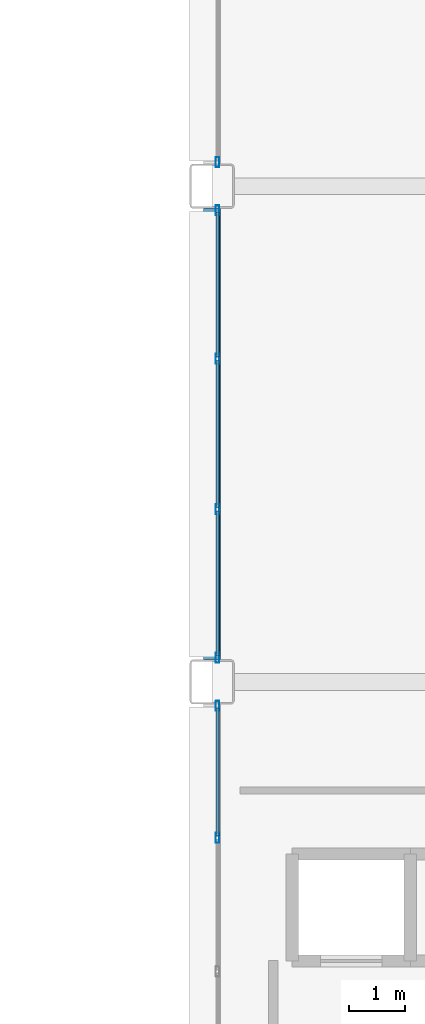
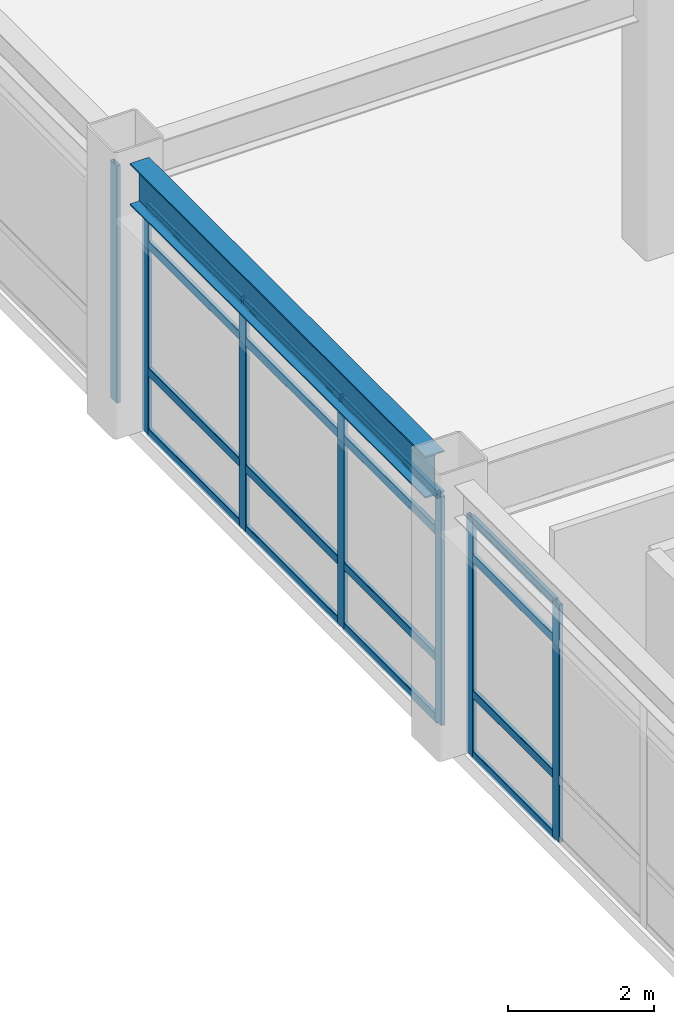
# One storey, part 110 of 172: 23 members, 1 beam, 3 elements without a shape of their own.
"""IFC4 building model written with IfcOpenShell, lengths in metres."""

from ifc_helpers import new_model, si_unit, direction, frame, origin, origin_2d, place, context, subcontext, project, spatial, hollow_rectangle, i_section, extrude, material, layer, layer_set, material_profile, profile_set, type_object, element, aggregate, save


model = new_model("IFC4")

# Units and contexts
model_context = context("Model", 3, precision=1e-05, world=origin(), true_north=direction((0.0, 1.0)))
body_context = subcontext(model_context, "Body", "Model", "MODEL_VIEW")
ifc_project = project(units=[si_unit("LENGTHUNIT", "METRE"), si_unit("AREAUNIT", "SQUARE_METRE"), si_unit("VOLUMEUNIT", "CUBIC_METRE"), si_unit("PLANEANGLEUNIT", "RADIAN"), si_unit("MASSUNIT", "GRAM", prefix="KILO")], contexts=[model_context])

# Site, building, storey
site_placement = place(None, origin())
site = spatial("IfcSite", under=ifc_project, at=site_placement, CompositionType="ELEMENT")
building_placement = place(site_placement, origin())
building = spatial("IfcBuilding", under=site, at=building_placement, Name="Kazehara Bluff Congress Hotel", CompositionType="ELEMENT")
storey_placement = place(building_placement, frame((0.0, 0.0, 5.39990234375)))
storey = spatial("IfcBuildingStorey", under=building, at=storey_placement, Name="L01", CompositionType="ELEMENT", Elevation=5.39990234375)

# Curtain wall, members
ifc_material_1 = material(Name="Anodised aluminium", Category="aluminium")
ifc_layer_1 = layer(ifc_material_1, 0.159912109375)
ifc_layer_set_1 = layer_set([ifc_layer_1], Name="Anodised aluminium")
curtain_wall_type_1 = type_object("IfcCurtainWallType", Name="TP-CW-120", PredefinedType="NOTDEFINED", material=ifc_layer_set_1)
curtain_wall_1_placement = place(storey_placement, origin())
curtain_wall_1 = element("IfcCurtainWall", 1, at=curtain_wall_1_placement, inside=storey, type_object=curtain_wall_type_1, Name="L01 curtain wall CW-120 CW-ENC-V5-L01-14380-6045", PredefinedType="NOTDEFINED")
ifc_material_2 = material(Name="Anodised aluminium", Category="aluminium")
ifc_material_profile_1 = material_profile(ifc_material_2, hollow_rectangle(XDim=0.06494140625, YDim=0.179931640625, WallThickness=0.00390625, InnerFilletRadius=0.00390625, OuterFilletRadius=0.008056640625, at=origin_2d()))
ifc_profile_set_1 = profile_set([ifc_material_profile_1], Name="Anodised aluminium")
member_type_1 = type_object("IfcMemberType", Name="TP-CWM-02", PredefinedType="MULLION", material=ifc_profile_set_1)
member_1_placement = place(storey_placement, frame((143.800048828125, 61.64990234375, 0.0), z_axis=(0.0, 0.0, 1.0), x_axis=(-1.0, 0.0, 0.0)))
member_1 = element("IfcMember", 2, at=member_1_placement, type_object=member_type_1, Name="CW-120 mullion 3", PredefinedType="MULLION", context=body_context, shape_type="SweptSolid", body=[
    extrude(hollow_rectangle(XDim=0.06494140625, YDim=0.179931640625, WallThickness=0.00390625, InnerFilletRadius=0.00390625, OuterFilletRadius=0.008056640625, at=origin_2d()), origin(), (0.0, 0.0, 1.0), 3.97509765625),
])
member_2_placement = place(storey_placement, frame((143.800048828125, 64.017578125, 0.0), z_axis=(0.0, 0.0, 1.0), x_axis=(-1.0, 0.0, 0.0)))
member_2 = element("IfcMember", 3, at=member_2_placement, type_object=member_type_1, Name="CW-120 mullion 4", PredefinedType="MULLION", context=body_context, shape_type="SweptSolid", body=[
    extrude(hollow_rectangle(XDim=0.06494140625, YDim=0.179931640625, WallThickness=0.00390625, InnerFilletRadius=0.00390625, OuterFilletRadius=0.008056640625, at=origin_2d()), origin(), (0.0, 0.0, 1.0), 3.97509765625),
])

ifc_material_3 = material(Name="Anodised aluminium", Category="aluminium")
ifc_layer_2 = layer(ifc_material_3, 0.159912109375)
ifc_layer_set_2 = layer_set([ifc_layer_2], Name="Anodised aluminium")
curtain_wall_type_2 = type_object("IfcCurtainWallType", Name="TP-CW-121", PredefinedType="NOTDEFINED", material=ifc_layer_set_2)
curtain_wall_2_placement = place(storey_placement, origin())
curtain_wall_2 = element("IfcCurtainWall", 4, at=curtain_wall_2_placement, inside=storey, type_object=curtain_wall_type_2, Name="L01 curtain wall CW-121 CW-ENC-V5-L01-14380-6890", PredefinedType="NOTDEFINED")
member_3_placement = place(storey_placement, frame((143.800048828125, 64.882568359375, 0.0), z_axis=(0.0, 0.0, 1.0), x_axis=(-1.0, 0.0, 0.0)))
member_3 = element("IfcMember", 5, at=member_3_placement, type_object=member_type_1, Name="CW-121 mullion 1", PredefinedType="MULLION", context=body_context, shape_type="SweptSolid", body=[
    extrude(hollow_rectangle(XDim=0.06494140625, YDim=0.179931640625, WallThickness=0.00390625, InnerFilletRadius=0.00390625, OuterFilletRadius=0.008056640625, at=origin_2d()), origin(), (0.0, 0.0, 1.0), 3.8251953125),
])
member_4_placement = place(storey_placement, frame((143.800048828125, 67.550048828125, 0.0), z_axis=(0.0, 0.0, 1.0), x_axis=(-1.0, 0.0, 0.0)))
member_4 = element("IfcMember", 6, at=member_4_placement, type_object=member_type_1, Name="CW-121 mullion 2", PredefinedType="MULLION", context=body_context, shape_type="SweptSolid", body=[
    extrude(hollow_rectangle(XDim=0.06494140625, YDim=0.179931640625, WallThickness=0.00390625, InnerFilletRadius=0.00390625, OuterFilletRadius=0.008056640625, at=origin_2d()), origin(), (0.0, 0.0, 1.0), 3.8251953125),
])
member_5_placement = place(storey_placement, frame((143.800048828125, 70.25, 0.0), z_axis=(0.0, 0.0, 1.0), x_axis=(-1.0, 0.0, 0.0)))
member_5 = element("IfcMember", 7, at=member_5_placement, type_object=member_type_1, Name="CW-121 mullion 3", PredefinedType="MULLION", context=body_context, shape_type="SweptSolid", body=[
    extrude(hollow_rectangle(XDim=0.06494140625, YDim=0.179931640625, WallThickness=0.00390625, InnerFilletRadius=0.00390625, OuterFilletRadius=0.008056640625, at=origin_2d()), origin(), (0.0, 0.0, 1.0), 3.8251953125),
])
member_6_placement = place(storey_placement, frame((143.800048828125, 72.91748046875, 0.0), z_axis=(0.0, 0.0, 1.0), x_axis=(-1.0, 0.0, 0.0)))
member_6 = element("IfcMember", 8, at=member_6_placement, type_object=member_type_1, Name="CW-121 mullion 4", PredefinedType="MULLION", context=body_context, shape_type="SweptSolid", body=[
    extrude(hollow_rectangle(XDim=0.06494140625, YDim=0.179931640625, WallThickness=0.00390625, InnerFilletRadius=0.00390625, OuterFilletRadius=0.008056640625, at=origin_2d()), origin(), (0.0, 0.0, 1.0), 3.8251953125),
])

# Curtain wall, member
ifc_material_4 = material(Name="Anodised aluminium", Category="aluminium")
ifc_layer_3 = layer(ifc_material_4, 0.159912109375)
ifc_layer_set_3 = layer_set([ifc_layer_3], Name="Anodised aluminium")
curtain_wall_type_3 = type_object("IfcCurtainWallType", Name="TP-CW-122", PredefinedType="NOTDEFINED", material=ifc_layer_set_3)
curtain_wall_3_placement = place(storey_placement, origin())
curtain_wall_3 = element("IfcCurtainWall", 9, at=curtain_wall_3_placement, inside=storey, type_object=curtain_wall_type_3, Name="L01 curtain wall CW-122 CW-ENC-V5-L01-14380-7712", PredefinedType="NOTDEFINED")
member_7_placement = place(storey_placement, frame((143.800048828125, 73.782470703125, 0.0), z_axis=(0.0, 0.0, 1.0), x_axis=(-1.0, 0.0, 0.0)))
member_7 = element("IfcMember", 10, at=member_7_placement, type_object=member_type_1, Name="CW-122 mullion 1", PredefinedType="MULLION", context=body_context, shape_type="SweptSolid", body=[
    extrude(hollow_rectangle(XDim=0.06494140625, YDim=0.179931640625, WallThickness=0.00390625, InnerFilletRadius=0.00390625, OuterFilletRadius=0.008056640625, at=origin_2d()), origin(), (0.0, 0.0, 1.0), 3.97509765625),
])
aggregate(curtain_wall_3, [member_7])

# Member
ifc_material_5 = material(Name="Anodised aluminium", Category="aluminium")
ifc_material_profile_2 = material_profile(ifc_material_5, hollow_rectangle(XDim=0.06494140625, YDim=0.139892578125, WallThickness=0.00390625, InnerFilletRadius=0.00390625, OuterFilletRadius=0.008056640625, at=origin_2d()))
ifc_profile_set_2 = profile_set([ifc_material_profile_2], Name="Anodised aluminium")
member_type_2 = type_object("IfcMemberType", Name="TP-CWT-02", PredefinedType="USERDEFINED", material=ifc_profile_set_2)
member_8_placement = place(storey_placement, frame((143.800048828125, 61.6826171875, 0.03271484375), z_axis=(0.0, 1.0, 0.0), x_axis=(-1.0, 0.0, 0.0)))
member_8 = element("IfcMember", 11, at=member_8_placement, type_object=member_type_2, Name="CW-120 transom 3.1", ObjectType="TRANSOM", PredefinedType="USERDEFINED", context=body_context, shape_type="SweptSolid", body=[
    extrude(hollow_rectangle(XDim=0.06494140625, YDim=0.139892578125, WallThickness=0.00390625, InnerFilletRadius=0.00390625, OuterFilletRadius=0.008056640625, at=origin_2d()), origin(), (0.0, 0.0, 1.0), 2.302490234375),
])

member_9_placement = place(storey_placement, frame((143.800048828125, 61.6826171875, 1.050048828125), z_axis=(0.0, 1.0, 0.0), x_axis=(-1.0, 0.0, 0.0)))
member_9 = element("IfcMember", 12, at=member_9_placement, type_object=member_type_2, Name="CW-120 transom 3.2", ObjectType="TRANSOM", PredefinedType="USERDEFINED", context=body_context, shape_type="SweptSolid", body=[
    extrude(hollow_rectangle(XDim=0.06494140625, YDim=0.139892578125, WallThickness=0.00390625, InnerFilletRadius=0.00390625, OuterFilletRadius=0.008056640625, at=origin_2d()), origin(), (0.0, 0.0, 1.0), 2.302490234375),
])

member_10_placement = place(storey_placement, frame((143.800048828125, 61.6826171875, 3.3251953125), z_axis=(0.0, 1.0, 0.0), x_axis=(-1.0, 0.0, 0.0)))
member_10 = element("IfcMember", 13, at=member_10_placement, type_object=member_type_2, Name="CW-120 transom 3.3", ObjectType="TRANSOM", PredefinedType="USERDEFINED", context=body_context, shape_type="SweptSolid", body=[
    extrude(hollow_rectangle(XDim=0.06494140625, YDim=0.139892578125, WallThickness=0.00390625, InnerFilletRadius=0.00390625, OuterFilletRadius=0.008056640625, at=origin_2d()), origin(), (0.0, 0.0, 1.0), 2.302490234375),
])

member_11_placement = place(storey_placement, frame((143.800048828125, 61.6826171875, 3.942626953125), z_axis=(0.0, 1.0, 0.0), x_axis=(-1.0, 0.0, 0.0)))
member_11 = element("IfcMember", 14, at=member_11_placement, type_object=member_type_2, Name="CW-120 transom 3.4", ObjectType="TRANSOM", PredefinedType="USERDEFINED", context=body_context, shape_type="SweptSolid", body=[
    extrude(hollow_rectangle(XDim=0.06494140625, YDim=0.139892578125, WallThickness=0.00390625, InnerFilletRadius=0.00390625, OuterFilletRadius=0.008056640625, at=origin_2d()), origin(), (0.0, 0.0, 1.0), 2.302490234375),
])

aggregate(curtain_wall_1, [member_1, member_2, member_8, member_9, member_10, member_11])

member_12_placement = place(storey_placement, frame((143.800048828125, 64.9150390625, 0.03271484375), z_axis=(0.0, 1.0, 0.0), x_axis=(-1.0, 0.0, 0.0)))
member_12 = element("IfcMember", 15, at=member_12_placement, type_object=member_type_2, Name="CW-121 transom 1.1", ObjectType="TRANSOM", PredefinedType="USERDEFINED", context=body_context, shape_type="SweptSolid", body=[
    extrude(hollow_rectangle(XDim=0.06494140625, YDim=0.139892578125, WallThickness=0.00390625, InnerFilletRadius=0.00390625, OuterFilletRadius=0.008056640625, at=origin_2d()), origin(), (0.0, 0.0, 1.0), 2.6025390625),
])

member_13_placement = place(storey_placement, frame((143.800048828125, 64.9150390625, 1.050048828125), z_axis=(0.0, 1.0, 0.0), x_axis=(-1.0, 0.0, 0.0)))
member_13 = element("IfcMember", 16, at=member_13_placement, type_object=member_type_2, Name="CW-121 transom 1.2", ObjectType="TRANSOM", PredefinedType="USERDEFINED", context=body_context, shape_type="SweptSolid", body=[
    extrude(hollow_rectangle(XDim=0.06494140625, YDim=0.139892578125, WallThickness=0.00390625, InnerFilletRadius=0.00390625, OuterFilletRadius=0.008056640625, at=origin_2d()), origin(), (0.0, 0.0, 1.0), 2.6025390625),
])

member_14_placement = place(storey_placement, frame((143.800048828125, 64.9150390625, 3.175048828125), z_axis=(0.0, 1.0, 0.0), x_axis=(-1.0, 0.0, 0.0)))
member_14 = element("IfcMember", 17, at=member_14_placement, type_object=member_type_2, Name="CW-121 transom 1.3", ObjectType="TRANSOM", PredefinedType="USERDEFINED", context=body_context, shape_type="SweptSolid", body=[
    extrude(hollow_rectangle(XDim=0.06494140625, YDim=0.139892578125, WallThickness=0.00390625, InnerFilletRadius=0.00390625, OuterFilletRadius=0.008056640625, at=origin_2d()), origin(), (0.0, 0.0, 1.0), 2.6025390625),
])

member_15_placement = place(storey_placement, frame((143.800048828125, 64.9150390625, 3.79248046875), z_axis=(0.0, 1.0, 0.0), x_axis=(-1.0, 0.0, 0.0)))
member_15 = element("IfcMember", 18, at=member_15_placement, type_object=member_type_2, Name="CW-121 transom 1.4", ObjectType="TRANSOM", PredefinedType="USERDEFINED", context=body_context, shape_type="SweptSolid", body=[
    extrude(hollow_rectangle(XDim=0.06494140625, YDim=0.139892578125, WallThickness=0.00390625, InnerFilletRadius=0.00390625, OuterFilletRadius=0.008056640625, at=origin_2d()), origin(), (0.0, 0.0, 1.0), 2.6025390625),
])

member_16_placement = place(storey_placement, frame((143.800048828125, 67.58251953125, 0.03271484375), z_axis=(0.0, 1.0, 0.0), x_axis=(-1.0, 0.0, 0.0)))
member_16 = element("IfcMember", 19, at=member_16_placement, type_object=member_type_2, Name="CW-121 transom 2.1", ObjectType="TRANSOM", PredefinedType="USERDEFINED", context=body_context, shape_type="SweptSolid", body=[
    extrude(hollow_rectangle(XDim=0.06494140625, YDim=0.139892578125, WallThickness=0.00390625, InnerFilletRadius=0.00390625, OuterFilletRadius=0.008056640625, at=origin_2d()), origin(), (0.0, 0.0, 1.0), 2.635009765625),
])

member_17_placement = place(storey_placement, frame((143.800048828125, 67.58251953125, 1.050048828125), z_axis=(0.0, 1.0, 0.0), x_axis=(-1.0, 0.0, 0.0)))
member_17 = element("IfcMember", 20, at=member_17_placement, type_object=member_type_2, Name="CW-121 transom 2.2", ObjectType="TRANSOM", PredefinedType="USERDEFINED", context=body_context, shape_type="SweptSolid", body=[
    extrude(hollow_rectangle(XDim=0.06494140625, YDim=0.139892578125, WallThickness=0.00390625, InnerFilletRadius=0.00390625, OuterFilletRadius=0.008056640625, at=origin_2d()), origin(), (0.0, 0.0, 1.0), 2.635009765625),
])

member_18_placement = place(storey_placement, frame((143.800048828125, 67.58251953125, 3.175048828125), z_axis=(0.0, 1.0, 0.0), x_axis=(-1.0, 0.0, 0.0)))
member_18 = element("IfcMember", 21, at=member_18_placement, type_object=member_type_2, Name="CW-121 transom 2.3", ObjectType="TRANSOM", PredefinedType="USERDEFINED", context=body_context, shape_type="SweptSolid", body=[
    extrude(hollow_rectangle(XDim=0.06494140625, YDim=0.139892578125, WallThickness=0.00390625, InnerFilletRadius=0.00390625, OuterFilletRadius=0.008056640625, at=origin_2d()), origin(), (0.0, 0.0, 1.0), 2.635009765625),
])

member_19_placement = place(storey_placement, frame((143.800048828125, 67.58251953125, 3.79248046875), z_axis=(0.0, 1.0, 0.0), x_axis=(-1.0, 0.0, 0.0)))
member_19 = element("IfcMember", 22, at=member_19_placement, type_object=member_type_2, Name="CW-121 transom 2.4", ObjectType="TRANSOM", PredefinedType="USERDEFINED", context=body_context, shape_type="SweptSolid", body=[
    extrude(hollow_rectangle(XDim=0.06494140625, YDim=0.139892578125, WallThickness=0.00390625, InnerFilletRadius=0.00390625, OuterFilletRadius=0.008056640625, at=origin_2d()), origin(), (0.0, 0.0, 1.0), 2.635009765625),
])

member_20_placement = place(storey_placement, frame((143.800048828125, 70.282470703125, 0.03271484375), z_axis=(0.0, 1.0, 0.0), x_axis=(-1.0, 0.0, 0.0)))
member_20 = element("IfcMember", 23, at=member_20_placement, type_object=member_type_2, Name="CW-121 transom 3.1", ObjectType="TRANSOM", PredefinedType="USERDEFINED", context=body_context, shape_type="SweptSolid", body=[
    extrude(hollow_rectangle(XDim=0.06494140625, YDim=0.139892578125, WallThickness=0.00390625, InnerFilletRadius=0.00390625, OuterFilletRadius=0.008056640625, at=origin_2d()), origin(), (0.0, 0.0, 1.0), 2.6025390625),
])

member_21_placement = place(storey_placement, frame((143.800048828125, 70.282470703125, 1.050048828125), z_axis=(0.0, 1.0, 0.0), x_axis=(-1.0, 0.0, 0.0)))
member_21 = element("IfcMember", 24, at=member_21_placement, type_object=member_type_2, Name="CW-121 transom 3.2", ObjectType="TRANSOM", PredefinedType="USERDEFINED", context=body_context, shape_type="SweptSolid", body=[
    extrude(hollow_rectangle(XDim=0.06494140625, YDim=0.139892578125, WallThickness=0.00390625, InnerFilletRadius=0.00390625, OuterFilletRadius=0.008056640625, at=origin_2d()), origin(), (0.0, 0.0, 1.0), 2.6025390625),
])

member_22_placement = place(storey_placement, frame((143.800048828125, 70.282470703125, 3.175048828125), z_axis=(0.0, 1.0, 0.0), x_axis=(-1.0, 0.0, 0.0)))
member_22 = element("IfcMember", 25, at=member_22_placement, type_object=member_type_2, Name="CW-121 transom 3.3", ObjectType="TRANSOM", PredefinedType="USERDEFINED", context=body_context, shape_type="SweptSolid", body=[
    extrude(hollow_rectangle(XDim=0.06494140625, YDim=0.139892578125, WallThickness=0.00390625, InnerFilletRadius=0.00390625, OuterFilletRadius=0.008056640625, at=origin_2d()), origin(), (0.0, 0.0, 1.0), 2.6025390625),
])

member_23_placement = place(storey_placement, frame((143.800048828125, 70.282470703125, 3.79248046875), z_axis=(0.0, 1.0, 0.0), x_axis=(-1.0, 0.0, 0.0)))
member_23 = element("IfcMember", 26, at=member_23_placement, type_object=member_type_2, Name="CW-121 transom 3.4", ObjectType="TRANSOM", PredefinedType="USERDEFINED", context=body_context, shape_type="SweptSolid", body=[
    extrude(hollow_rectangle(XDim=0.06494140625, YDim=0.139892578125, WallThickness=0.00390625, InnerFilletRadius=0.00390625, OuterFilletRadius=0.008056640625, at=origin_2d()), origin(), (0.0, 0.0, 1.0), 2.6025390625),
])

aggregate(curtain_wall_2, [member_3, member_4, member_5, member_6, member_12, member_13, member_14, member_15, member_16, member_17, member_18, member_19, member_20, member_21, member_22, member_23])

# Beam
ifc_material_6 = material(Name="Steel SN490B", Category="steel")
ifc_material_profile_3 = material_profile(ifc_material_6, i_section(OverallWidth=0.300048828125, OverallDepth=0.699951171875, WebThickness=0.012939453125, FlangeThickness=0.02392578125, FilletRadius=0.01806640625, at=origin_2d()))
ifc_profile_set_3 = profile_set([ifc_material_profile_3], Name="Steel SN490B")
beam_type = type_object("IfcBeamType", Name="TP-SP-03", PredefinedType="SPANDREL", material=ifc_profile_set_3)
beam_placement = place(storey_placement, frame((143.699951171875, 64.85009765625, 4.2001953125), z_axis=(0.0, 1.0, 0.0), x_axis=(-1.0, 0.0, 0.0)))
element("IfcBeam", 27, at=beam_placement, inside=storey, type_object=beam_type, Name="L01 girder SP-03 236", PredefinedType="SPANDREL", context=body_context, shape_type="SweptSolid", body=[
    extrude(i_section(OverallWidth=0.300048828125, OverallDepth=0.699951171875, WebThickness=0.012939453125, FlangeThickness=0.02392578125, FilletRadius=0.01806640625, at=origin_2d()), origin(), (0.0, 0.0, 1.0), 8.099853515625),
])

save(model, "model.ifc")
